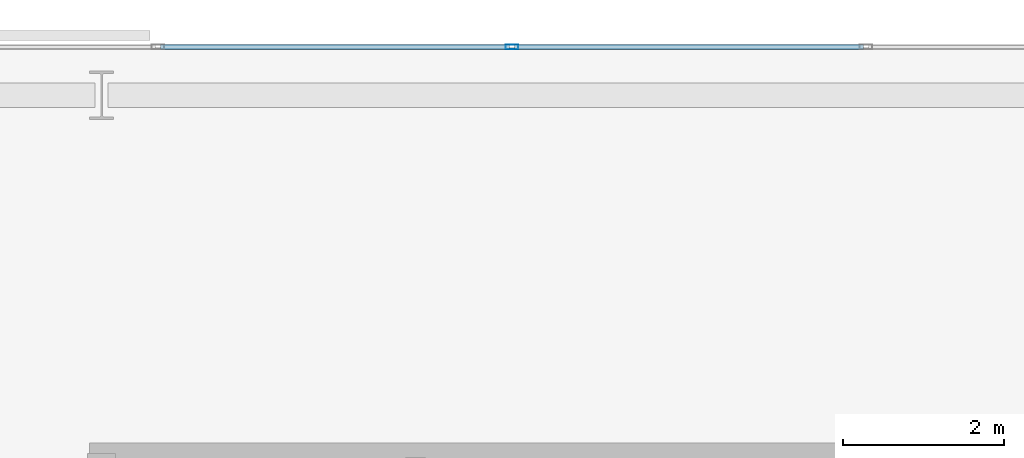
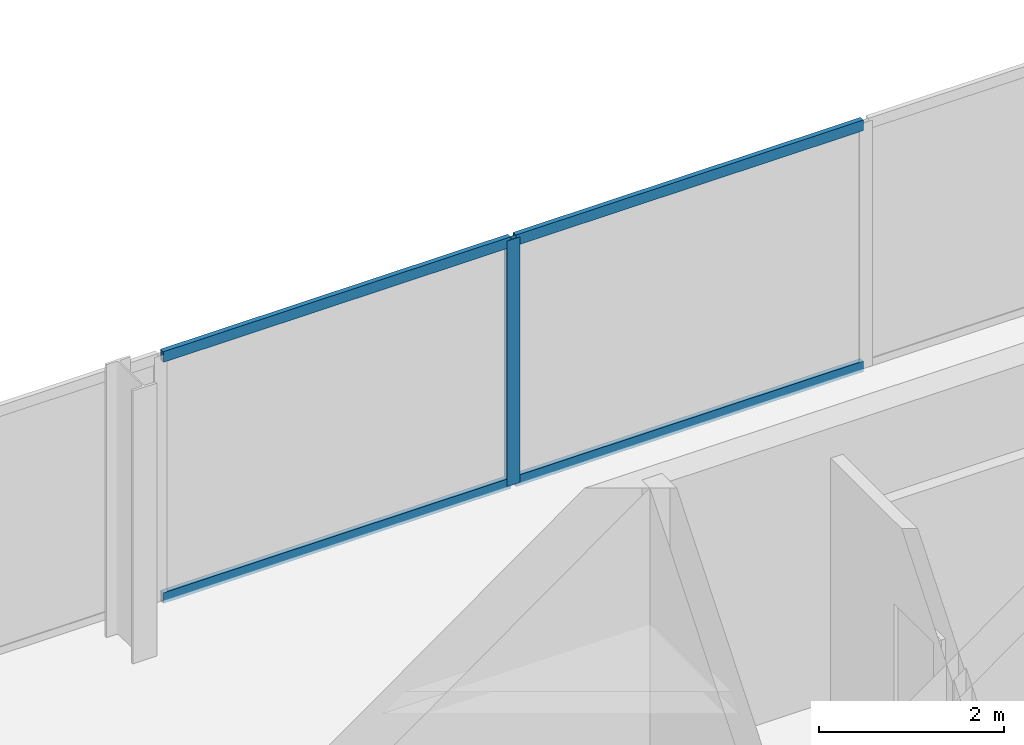
# One storey, part 20 of 32: 5 members, 1 element without a shape of its own.
"""IFC4 building model written with IfcOpenShell, lengths in metres."""

from ifc_helpers import new_model, si_unit, direction, frame, origin, origin_2d, place, context, subcontext, project, spatial, hollow_rectangle, extrude, material, layer, layer_set, material_profile, profile_set, type_object, element, aggregate, save


model = new_model("IFC4")

# Units and contexts
model_context = context("Model", 3, precision=1e-05, world=origin(), true_north=direction((0.0, 1.0)))
body_context = subcontext(model_context, "Body", "Model", "MODEL_VIEW")
ifc_project = project(units=[si_unit("LENGTHUNIT", "METRE"), si_unit("AREAUNIT", "SQUARE_METRE"), si_unit("VOLUMEUNIT", "CUBIC_METRE"), si_unit("PLANEANGLEUNIT", "RADIAN"), si_unit("MASSUNIT", "GRAM", prefix="KILO")], contexts=[model_context])

# Site, building, storey
site_placement = place(None, origin())
site = spatial("IfcSite", under=ifc_project, at=site_placement, CompositionType="ELEMENT")
building_placement = place(site_placement, origin())
building = spatial("IfcBuilding", under=site, at=building_placement, Name="Catumbela Crestline Tower", CompositionType="ELEMENT")
storey_placement = place(building_placement, frame((0.0, 0.0, 140.4)))
storey = spatial("IfcBuildingStorey", under=building, at=storey_placement, Name="L36", CompositionType="ELEMENT", Elevation=140.4)

# Curtain wall, members
ifc_material = material(Name="Aluminium alloy AW-6060-T66", Category="aluminium")
ifc_layer = layer(ifc_material, 0.18, Name="Aluminium alloy AW-6060-T66")
ifc_layer_set = layer_set([ifc_layer], Name="Aluminium alloy AW-6060-T66")
curtain_wall_type = type_object("IfcCurtainWallType", Name="CWU-Z2", PredefinedType="USERDEFINED", material=ifc_layer_set)
curtain_wall_placement = place(storey_placement, origin())
curtain_wall = element("IfcCurtainWall", 1, at=curtain_wall_placement, inside=storey, type_object=curtain_wall_type, Name="L36 Unitised Curtain Wall CW-L36-E7S1", ObjectType="UNITISED", PredefinedType="USERDEFINED")
ifc_material_profile_1 = material_profile(ifc_material, hollow_rectangle(XDim=0.06, YDim=0.16, WallThickness=0.004, at=origin_2d()), Name="ALU 160x60x4")
ifc_profile_set_1 = profile_set([ifc_material_profile_1], Name="Aluminium alloy AW-6060-T66")
member_type_1 = type_object("IfcMemberType", Name="MUL-160X60", PredefinedType="MULLION", material=ifc_profile_set_1)
member_1_placement = place(storey_placement, frame((21.1, 48.0, 0.0), z_axis=(0.0, 0.0, 1.0), x_axis=(0.0, -1.0, 0.0)))
member_1 = element("IfcMember", 2, at=member_1_placement, type_object=member_type_1, Name="CWU-Z2 mullion 7", PredefinedType="MULLION", context=body_context, shape_type="SweptSolid", body=[
    extrude(hollow_rectangle(XDim=0.06, YDim=0.16, WallThickness=0.004, at=origin_2d()), origin(), (0.0, 0.0, 1.0), 3.24),
])
ifc_material_profile_2 = material_profile(ifc_material, hollow_rectangle(XDim=0.06, YDim=0.14, WallThickness=0.004, at=origin_2d()), Name="ALU 140x60x4")
ifc_profile_set_2 = profile_set([ifc_material_profile_2], Name="Aluminium alloy AW-6060-T66")
member_type_2 = type_object("IfcMemberType", Name="TRN-140X60", PredefinedType="USERDEFINED", material=ifc_profile_set_2)
member_2_placement = place(storey_placement, frame((25.4675, 48.0, 0.03), z_axis=(-1.0, 0.0, 0.0), x_axis=(0.0, -1.0, 0.0)))
member_2 = element("IfcMember", 3, at=member_2_placement, type_object=member_type_2, Name="CWU-Z2 transom 6.1", ObjectType="TRANSOM", PredefinedType="USERDEFINED", context=body_context, shape_type="SweptSolid", body=[
    extrude(hollow_rectangle(XDim=0.06, YDim=0.14, WallThickness=0.004, at=origin_2d()), origin(), (0.0, 0.0, 1.0), 4.335),
])
member_3_placement = place(storey_placement, frame((25.4675, 48.0, 3.21), z_axis=(-1.0, 0.0, 0.0), x_axis=(0.0, -1.0, 0.0)))
member_3 = element("IfcMember", 4, at=member_3_placement, type_object=member_type_2, Name="CWU-Z2 transom 6.2", ObjectType="TRANSOM", PredefinedType="USERDEFINED", context=body_context, shape_type="SweptSolid", body=[
    extrude(hollow_rectangle(XDim=0.06, YDim=0.14, WallThickness=0.004, at=origin_2d()), origin(), (0.0, 0.0, 1.0), 4.335),
])
member_4_placement = place(storey_placement, frame((21.0675, 48.0, 0.03), z_axis=(-1.0, 0.0, 0.0), x_axis=(0.0, -1.0, 0.0)))
member_4 = element("IfcMember", 5, at=member_4_placement, type_object=member_type_2, Name="CWU-Z2 transom 7.1", ObjectType="TRANSOM", PredefinedType="USERDEFINED", context=body_context, shape_type="SweptSolid", body=[
    extrude(hollow_rectangle(XDim=0.06, YDim=0.14, WallThickness=0.004, at=origin_2d()), origin(), (0.0, 0.0, 1.0), 4.335),
])
member_5_placement = place(storey_placement, frame((21.0675, 48.0, 3.21), z_axis=(-1.0, 0.0, 0.0), x_axis=(0.0, -1.0, 0.0)))
member_5 = element("IfcMember", 6, at=member_5_placement, type_object=member_type_2, Name="CWU-Z2 transom 7.2", ObjectType="TRANSOM", PredefinedType="USERDEFINED", context=body_context, shape_type="SweptSolid", body=[
    extrude(hollow_rectangle(XDim=0.06, YDim=0.14, WallThickness=0.004, at=origin_2d()), origin(), (0.0, 0.0, 1.0), 4.335),
])
aggregate(curtain_wall, [member_1, member_2, member_3, member_4, member_5])

save(model, "model.ifc")
